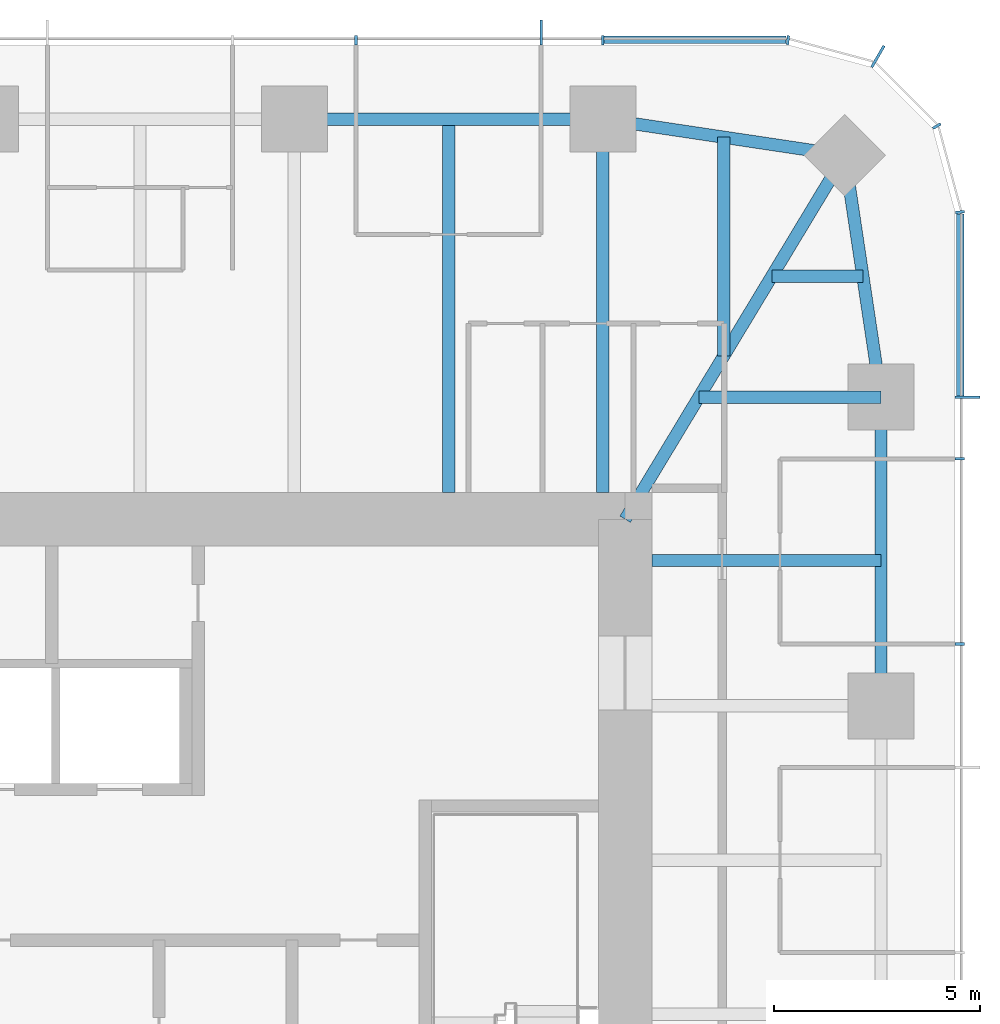
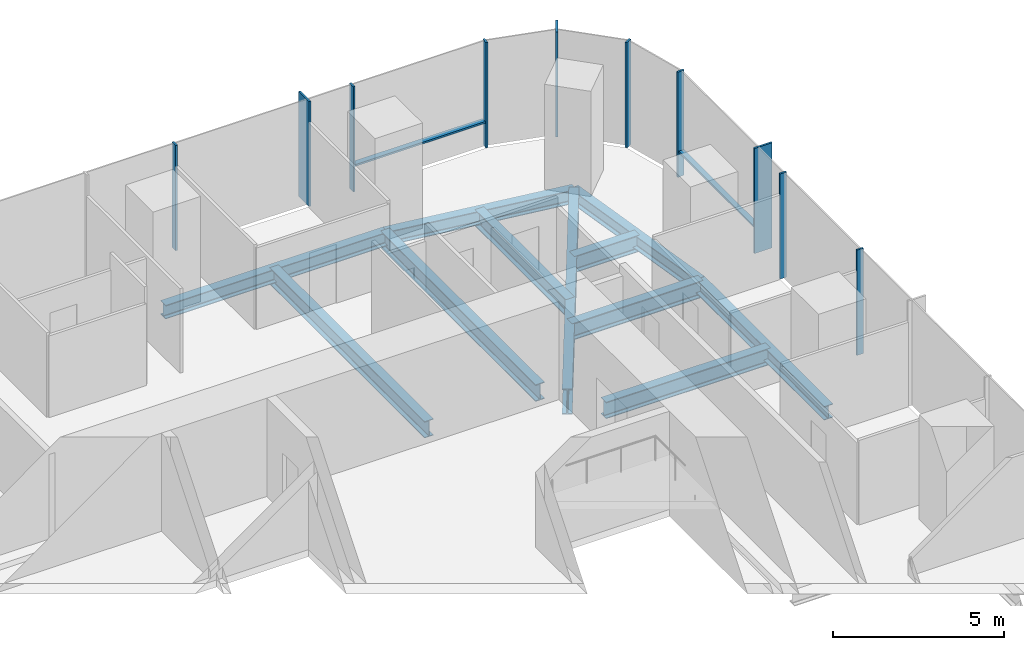
# One storey, part 6 of 12: 12 members, 11 beams, 3 elements without a shape of their own.
"""IFC4 building model written with IfcOpenShell, lengths in metres."""

from ifc_helpers import new_model, si_unit, direction, frame, origin, origin_2d, place, context, subcontext, project, spatial, rectangle, i_section, extrude, material, material_profile, profile_set, type_object, element, aggregate, save


model = new_model("IFC4")

# Units and contexts
model_context = context("Model", 3, precision=1e-05, world=origin(), true_north=direction((0.0, 1.0)))
body_context = subcontext(model_context, "Body", "Model", "MODEL_VIEW")
ifc_project = project(units=[si_unit("LENGTHUNIT", "METRE"), si_unit("AREAUNIT", "SQUARE_METRE"), si_unit("VOLUMEUNIT", "CUBIC_METRE"), si_unit("PLANEANGLEUNIT", "RADIAN"), si_unit("MASSUNIT", "GRAM", prefix="KILO")], contexts=[model_context])

# Site, building, storey
site_placement = place(None, origin())
site = spatial("IfcSite", under=ifc_project, at=site_placement, CompositionType="ELEMENT")
building_placement = place(site_placement, origin())
building = spatial("IfcBuilding", under=site, at=building_placement, Name="Khuree Lantern Residences", CompositionType="ELEMENT")
storey_placement = place(building_placement, frame((0.0, 0.0, 308.25)))
storey = spatial("IfcBuildingStorey", under=building, at=storey_placement, Name="L77", CompositionType="ELEMENT", Elevation=308.25)

# Beams
ifc_material_1 = material(Name="Steel S355", Category="steel")
ifc_material_profile_1 = material_profile(ifc_material_1, i_section(OverallWidth=0.300048828125, OverallDepth=0.590087890625, WebThickness=0.012939453125, FlangeThickness=0.02490234375, FilletRadius=0.027099609375, at=origin_2d()), Name="HE 600 A")
ifc_profile_set_1 = profile_set([ifc_material_profile_1], Name="Steel S355")
beam_type_1 = type_object("IfcBeamType", Name="B-42 SECONDARY BEAM HE 600 A", PredefinedType="BEAM", material=ifc_profile_set_1)
beam_1_placement = place(storey_placement, frame((11.219970703125, 21.699951171875, -0.544921875), z_axis=(0.0, -1.0, 0.0), x_axis=(1.0, 0.0, 0.0)))
element("IfcBeam", 1, at=beam_1_placement, inside=storey, type_object=beam_type_1, Name="Secondary beam N4", PredefinedType="BEAM", context=body_context, shape_type="SweptSolid", body=[
    extrude(i_section(OverallWidth=0.300048828125, OverallDepth=0.590087890625, WebThickness=0.012939453125, FlangeThickness=0.02490234375, FilletRadius=0.027099609375, at=origin_2d()), origin(), (0.0, 0.0, 1.0), 9.050048828125),
])
beam_2_placement = place(storey_placement, frame((17.890625, 21.2607421875, -0.544921875), z_axis=(0.0, -1.0, 0.0), x_axis=(1.0, 0.0, 0.0)))
element("IfcBeam", 2, at=beam_2_placement, inside=storey, type_object=beam_type_1, Name="Secondary beam N5", PredefinedType="BEAM", context=body_context, shape_type="SweptSolid", body=[
    extrude(i_section(OverallWidth=0.300048828125, OverallDepth=0.590087890625, WebThickness=0.012939453125, FlangeThickness=0.02490234375, FilletRadius=0.027099609375, at=origin_2d()), origin(), (0.0, 0.0, 1.0), 5.297607421875),
])
beam_3_placement = place(storey_placement, frame((21.2607421875, 17.890625, -0.544921875), z_axis=(-1.0, 0.0, 0.0), x_axis=(0.0, -1.0, 0.0)))
element("IfcBeam", 3, at=beam_3_placement, inside=storey, type_object=beam_type_1, Name="Secondary beam E1", PredefinedType="BEAM", context=body_context, shape_type="SweptSolid", body=[
    extrude(i_section(OverallWidth=0.300048828125, OverallDepth=0.590087890625, WebThickness=0.012939453125, FlangeThickness=0.02490234375, FilletRadius=0.027099609375, at=origin_2d()), origin(), (0.0, 0.0, 1.0), 2.207275390625),
])
beam_4_placement = place(storey_placement, frame((21.699951171875, 11.0, -0.544921875), z_axis=(-1.0, 0.0, 0.0), x_axis=(0.0, -1.0, 0.0)))
element("IfcBeam", 4, at=beam_4_placement, inside=storey, type_object=beam_type_1, Name="Secondary beam E2", PredefinedType="BEAM", context=body_context, shape_type="SweptSolid", body=[
    extrude(i_section(OverallWidth=0.300048828125, OverallDepth=0.590087890625, WebThickness=0.012939453125, FlangeThickness=0.02490234375, FilletRadius=0.027099609375, at=origin_2d()), origin(), (0.0, 0.0, 1.0), 5.550048828125),
])
ifc_material_profile_2 = material_profile(ifc_material_1, i_section(OverallWidth=0.300048828125, OverallDepth=0.489990234375, WebThickness=0.011962890625, FlangeThickness=0.02294921875, FilletRadius=0.027099609375, at=origin_2d()), Name="HE 500 A")
ifc_profile_set_2 = profile_set([ifc_material_profile_2], Name="Steel S355")
beam_type_2 = type_object("IfcBeamType", Name="E-42 SPANDREL BEAM HE 500 A", PredefinedType="SPANDREL", material=ifc_profile_set_2)
beam_5_placement = place(storey_placement, frame((7.47998046875, 21.699951171875, -0.4951171875), z_axis=(1.0, 0.0, 0.0), x_axis=(0.0, 1.0, 0.0)))
element("IfcBeam", 5, at=beam_5_placement, inside=storey, type_object=beam_type_2, Name="Spandrel beam N4", PredefinedType="SPANDREL", context=body_context, shape_type="SweptSolid", body=[
    extrude(i_section(OverallWidth=0.300048828125, OverallDepth=0.489990234375, WebThickness=0.011962890625, FlangeThickness=0.02294921875, FilletRadius=0.027099609375, at=origin_2d()), origin(), (0.0, 0.0, 1.0), 7.47998046875),
])
for number, where, z_axis, x_axis, name in (
    (6, (14.9599609375, 21.699951171875, -0.4951171875), (0.988949643299, -0.148251822985, 0.0), (0.148251822985, 0.988949643299, 0.0), "Spandrel beam N5"),
    (7, (20.8212890625, 20.8212890625, -0.4951171875), (0.148251822985, -0.988949643299, 0.0), (0.988949643299, 0.148251822985, 0.0), "Spandrel beam E1"),
):
    element("IfcBeam", number, at=place(storey_placement, frame(where, z_axis=z_axis, x_axis=x_axis)), inside=storey, type_object=beam_type_2, Name=name, PredefinedType="SPANDREL", context=body_context, shape_type="SweptSolid", body=[
        extrude(i_section(OverallWidth=0.300048828125, OverallDepth=0.489990234375, WebThickness=0.011962890625, FlangeThickness=0.02294921875, FilletRadius=0.027099609375, at=origin_2d()), origin(), (0.0, 0.0, 1.0), 5.9267578125),
    ])
beam_6_placement = place(storey_placement, frame((21.699951171875, 14.9599609375, -0.4951171875), z_axis=(0.0, -1.0, 0.0), x_axis=(1.0, 0.0, 0.0)))
element("IfcBeam", 8, at=beam_6_placement, inside=storey, type_object=beam_type_2, Name="Spandrel beam E2", PredefinedType="SPANDREL", context=body_context, shape_type="SweptSolid", body=[
    extrude(i_section(OverallWidth=0.300048828125, OverallDepth=0.489990234375, WebThickness=0.011962890625, FlangeThickness=0.02294921875, FilletRadius=0.027099609375, at=origin_2d()), origin(), (0.0, 0.0, 1.0), 7.47998046875),
])

# Curtain wall, member
ifc_material_2 = material(Name="Bronze anodised aluminium", Category="aluminium")
curtain_wall_type_1 = type_object("IfcCurtainWallType", Name="CW-T1 TOWER FACE CURTAIN WALL", PredefinedType="USERDEFINED", material=ifc_material_2)
curtain_wall_1_placement = place(storey_placement, origin())
curtain_wall_1 = element("IfcCurtainWall", 9, at=curtain_wall_1_placement, inside=storey, type_object=curtain_wall_type_1, Name="L77 EAST FACE CURTAIN WALL", ObjectType="Stick-built curtain wall", PredefinedType="USERDEFINED")
ifc_material_profile_3 = material_profile(ifc_material_2, rectangle(XDim=0.06494140625, YDim=0.60009765625, at=origin_2d()), Name="F1 65X600")
ifc_profile_set_3 = profile_set([ifc_material_profile_3], Name="Bronze anodised aluminium")
member_type_1 = type_object("IfcMemberType", Name="F1 BRONZE FIN MULLION TOWER 65X600", PredefinedType="MULLION", material=ifc_profile_set_3)
member_1_placement = place(storey_placement, frame((23.800048828125, 14.9599609375, 0.0), z_axis=(0.0, 0.0, 1.0), x_axis=(0.0, 1.0, 0.0)))
member_1 = element("IfcMember", 10, at=member_1_placement, type_object=member_type_1, Name="L77 EAST FACE FIN MULLION 14", PredefinedType="MULLION", context=body_context, shape_type="SweptSolid", body=[
    extrude(rectangle(XDim=0.06494140625, YDim=0.60009765625, at=origin_2d()), origin(), (0.0, 0.0, 1.0), 3.75),
])

curtain_wall_type_2 = type_object("IfcCurtainWallType", Name="CW-T2 TOWER CORNER CURTAIN WALL", PredefinedType="USERDEFINED", material=ifc_material_2)
curtain_wall_2_placement = place(storey_placement, origin())
curtain_wall_2 = element("IfcCurtainWall", 11, at=curtain_wall_2_placement, inside=storey, type_object=curtain_wall_type_2, Name="L77 NORTH-EAST CORNER CURTAIN WALL", ObjectType="Faceted corner curtain wall", PredefinedType="USERDEFINED")
member_2_placement = place(storey_placement, frame((21.625, 23.21728515625, 0.0), z_axis=(0.0, 0.0, 1.0), x_axis=(-0.866025437565, 0.49999994149, 0.0)))
member_2 = element("IfcMember", 12, at=member_2_placement, type_object=member_type_1, Name="L77 NORTH-EAST CORNER FIN MULLION 17", PredefinedType="MULLION", context=body_context, shape_type="SweptSolid", body=[
    extrude(rectangle(XDim=0.06494140625, YDim=0.60009765625, at=origin_2d()), origin(), (0.0, 0.0, 1.0), 3.75),
])

curtain_wall_3_placement = place(storey_placement, origin())
curtain_wall_3 = element("IfcCurtainWall", 13, at=curtain_wall_3_placement, inside=storey, type_object=curtain_wall_type_1, Name="L77 NORTH FACE CURTAIN WALL", ObjectType="Stick-built curtain wall", PredefinedType="USERDEFINED")
member_3_placement = place(storey_placement, frame((13.464111328125, 23.800048828125, 0.0), z_axis=(0.0, 0.0, 1.0), x_axis=(-1.0, 0.0, 0.0)))
member_3 = element("IfcMember", 14, at=member_3_placement, type_object=member_type_1, Name="L77 NORTH FACE FIN MULLION 20", PredefinedType="MULLION", context=body_context, shape_type="SweptSolid", body=[
    extrude(rectangle(XDim=0.06494140625, YDim=0.60009765625, at=origin_2d()), origin(), (0.0, 0.0, 1.0), 3.75),
])

# Beams
ifc_material_profile_4 = material_profile(ifc_material_1, i_section(OverallWidth=0.300048828125, OverallDepth=0.60009765625, WebThickness=0.015380859375, FlangeThickness=0.030029296875, FilletRadius=0.027099609375, at=origin_2d()), Name="HE 600 B")
ifc_profile_set_4 = profile_set([ifc_material_profile_4], Name="Steel S355")
beam_type_3 = type_object("IfcBeamType", Name="G-42 GIRDER HE 600 B", PredefinedType="BEAM", material=ifc_profile_set_4)
beam_7_placement = place(storey_placement, frame((14.9599609375, 21.699951171875, -0.550048828125), z_axis=(0.0, -1.0, 0.0), x_axis=(1.0, 0.0, 0.0)))
element("IfcBeam", 15, at=beam_7_placement, inside=storey, type_object=beam_type_3, Name="Girder N5", PredefinedType="BEAM", context=body_context, shape_type="SweptSolid", body=[
    extrude(i_section(OverallWidth=0.300048828125, OverallDepth=0.60009765625, WebThickness=0.015380859375, FlangeThickness=0.030029296875, FilletRadius=0.027099609375, at=origin_2d()), origin(), (0.0, 0.0, 1.0), 9.050048828125),
])
beam_8_placement = place(storey_placement, frame((21.699951171875, 14.9599609375, -0.550048828125), z_axis=(-1.0, 0.0, 0.0), x_axis=(0.0, -1.0, 0.0)))
element("IfcBeam", 16, at=beam_8_placement, inside=storey, type_object=beam_type_3, Name="Girder E1", PredefinedType="BEAM", context=body_context, shape_type="SweptSolid", body=[
    extrude(i_section(OverallWidth=0.300048828125, OverallDepth=0.60009765625, WebThickness=0.015380859375, FlangeThickness=0.030029296875, FilletRadius=0.027099609375, at=origin_2d()), origin(), (0.0, 0.0, 1.0), 4.414306640625),
])
ifc_material_profile_5 = material_profile(ifc_material_1, i_section(OverallWidth=0.300048828125, OverallDepth=0.89990234375, WebThickness=0.0185546875, FlangeThickness=0.034912109375, FilletRadius=0.030029296875, at=origin_2d()), Name="HE 900 B")
ifc_profile_set_5 = profile_set([ifc_material_profile_5], Name="Steel S355")
beam_type_4 = type_object("IfcBeamType", Name="GD-42 CORNER GIRDER HE 900 B", PredefinedType="BEAM", material=ifc_profile_set_5)
beam_9_placement = place(storey_placement, frame((20.8212890625, 20.8212890625, -0.699951171875), z_axis=(-0.516529577604, -0.856269347495, 0.0), x_axis=(0.856269347495, -0.516529577604, 0.0)))
element("IfcBeam", 17, at=beam_9_placement, inside=storey, type_object=beam_type_4, Name="Corner girder NE", PredefinedType="BEAM", context=body_context, shape_type="SweptSolid", body=[
    extrude(i_section(OverallWidth=0.300048828125, OverallDepth=0.89990234375, WebThickness=0.0185546875, FlangeThickness=0.034912109375, FilletRadius=0.030029296875, at=origin_2d()), origin(), (0.0, 0.0, 1.0), 10.302001953125),
])

# Member
ifc_material_profile_6 = material_profile(ifc_material_2, rectangle(XDim=0.06494140625, YDim=0.219970703125, at=origin_2d()), Name="M1 65X220")
ifc_profile_set_6 = profile_set([ifc_material_profile_6], Name="Bronze anodised aluminium")
member_type_2 = type_object("IfcMemberType", Name="M1 BRONZE MULLION TOWER 65X220", PredefinedType="MULLION", material=ifc_profile_set_6)
member_4_placement = place(storey_placement, frame((23.610107421875, 8.97607421875, 0.0), z_axis=(0.0, 0.0, 1.0), x_axis=(0.0, 1.0, 0.0)))
member_4 = element("IfcMember", 18, at=member_4_placement, type_object=member_type_2, Name="L77 EAST FACE MULLION 12", PredefinedType="MULLION", context=body_context, shape_type="SweptSolid", body=[
    extrude(rectangle(XDim=0.06494140625, YDim=0.219970703125, at=origin_2d()), origin(), (0.0, 0.0, 1.0), 3.75),
])

member_5_placement = place(storey_placement, frame((23.610107421875, 13.464111328125, 0.0), z_axis=(0.0, 0.0, 1.0), x_axis=(0.0, 1.0, 0.0)))
member_5 = element("IfcMember", 19, at=member_5_placement, type_object=member_type_2, Name="L77 EAST FACE MULLION 13", PredefinedType="MULLION", context=body_context, shape_type="SweptSolid", body=[
    extrude(rectangle(XDim=0.06494140625, YDim=0.219970703125, at=origin_2d()), origin(), (0.0, 0.0, 1.0), 3.75),
])

member_6_placement = place(storey_placement, frame((23.61181640625, 19.445068359375, 0.0), z_axis=(0.0, 0.0, 1.0), x_axis=(-0.130526125236, 0.991444870192, 0.0)))
member_6 = element("IfcMember", 20, at=member_6_placement, type_object=member_type_2, Name="L77 NORTH-EAST CORNER MULLION 15", PredefinedType="MULLION", context=body_context, shape_type="SweptSolid", body=[
    extrude(rectangle(XDim=0.06494140625, YDim=0.219970703125, at=origin_2d()), origin(), (0.0, 0.0, 1.0), 3.75),
])

member_7_placement = place(storey_placement, frame((23.052734375, 21.530029296875, 0.0), z_axis=(0.0, 0.0, 1.0), x_axis=(-0.49999994149, 0.866025437565, 0.0)))
member_7 = element("IfcMember", 21, at=member_7_placement, type_object=member_type_2, Name="L77 NORTH-EAST CORNER MULLION 16", PredefinedType="MULLION", context=body_context, shape_type="SweptSolid", body=[
    extrude(rectangle(XDim=0.06494140625, YDim=0.219970703125, at=origin_2d()), origin(), (0.0, 0.0, 1.0), 3.75),
])

aggregate(curtain_wall_2, [member_6, member_7, member_2])

member_8_placement = place(storey_placement, frame((19.445068359375, 23.61181640625, 0.0), z_axis=(0.0, 0.0, 1.0), x_axis=(-0.991444870192, 0.130526125236, 0.0)))
member_8 = element("IfcMember", 22, at=member_8_placement, type_object=member_type_2, Name="L77 NORTH FACE MULLION 18", PredefinedType="MULLION", context=body_context, shape_type="SweptSolid", body=[
    extrude(rectangle(XDim=0.06494140625, YDim=0.219970703125, at=origin_2d()), origin(), (0.0, 0.0, 1.0), 3.75),
])

member_9_placement = place(storey_placement, frame((14.9599609375, 23.610107421875, 0.0), z_axis=(0.0, 0.0, 1.0), x_axis=(-1.0, 0.0, 0.0)))
member_9 = element("IfcMember", 23, at=member_9_placement, type_object=member_type_2, Name="L77 NORTH FACE MULLION 19", PredefinedType="MULLION", context=body_context, shape_type="SweptSolid", body=[
    extrude(rectangle(XDim=0.06494140625, YDim=0.219970703125, at=origin_2d()), origin(), (0.0, 0.0, 1.0), 3.75),
])

member_10_placement = place(storey_placement, frame((8.97607421875, 23.610107421875, 0.0), z_axis=(0.0, 0.0, 1.0), x_axis=(-1.0, 0.0, 0.0)))
member_10 = element("IfcMember", 24, at=member_10_placement, type_object=member_type_2, Name="L77 NORTH FACE MULLION 21", PredefinedType="MULLION", context=body_context, shape_type="SweptSolid", body=[
    extrude(rectangle(XDim=0.06494140625, YDim=0.219970703125, at=origin_2d()), origin(), (0.0, 0.0, 1.0), 3.75),
])

ifc_material_profile_7 = material_profile(ifc_material_2, rectangle(XDim=0.179931640625, YDim=0.06494140625, at=origin_2d()), Name="T1 180X65")
ifc_profile_set_7 = profile_set([ifc_material_profile_7], Name="Bronze anodised aluminium")
member_type_3 = type_object("IfcMemberType", Name="TRANSOM T1 TOWER 180X65", PredefinedType="USERDEFINED", material=ifc_profile_set_7)
member_11_placement = place(storey_placement, frame((23.6201171875, 14.992431640625, 0.89990234375), z_axis=(0.0, 1.0, 0.0), x_axis=(-1.0, 0.0, 0.0)))
member_11 = element("IfcMember", 25, at=member_11_placement, type_object=member_type_3, Name="L77 EAST FACE TRANSOM 14.1", ObjectType="Transom", PredefinedType="USERDEFINED", context=body_context, shape_type="SweptSolid", body=[
    extrude(rectangle(XDim=0.179931640625, YDim=0.06494140625, at=origin_2d()), origin(), (0.0, 0.0, 1.0), 4.408935546875),
])

aggregate(curtain_wall_1, [member_4, member_5, member_1, member_11])

member_12_placement = place(storey_placement, frame((19.4013671875, 23.6201171875, 0.89990234375), z_axis=(-1.0, 0.0, 0.0), x_axis=(0.0, -1.0, 0.0)))
member_12 = element("IfcMember", 26, at=member_12_placement, type_object=member_type_3, Name="L77 NORTH FACE TRANSOM 18.1", ObjectType="Transom", PredefinedType="USERDEFINED", context=body_context, shape_type="SweptSolid", body=[
    extrude(rectangle(XDim=0.179931640625, YDim=0.06494140625, at=origin_2d()), origin(), (0.0, 0.0, 1.0), 4.408935546875),
])

aggregate(curtain_wall_3, [member_8, member_9, member_3, member_10, member_12])

save(model, "model.ifc")
